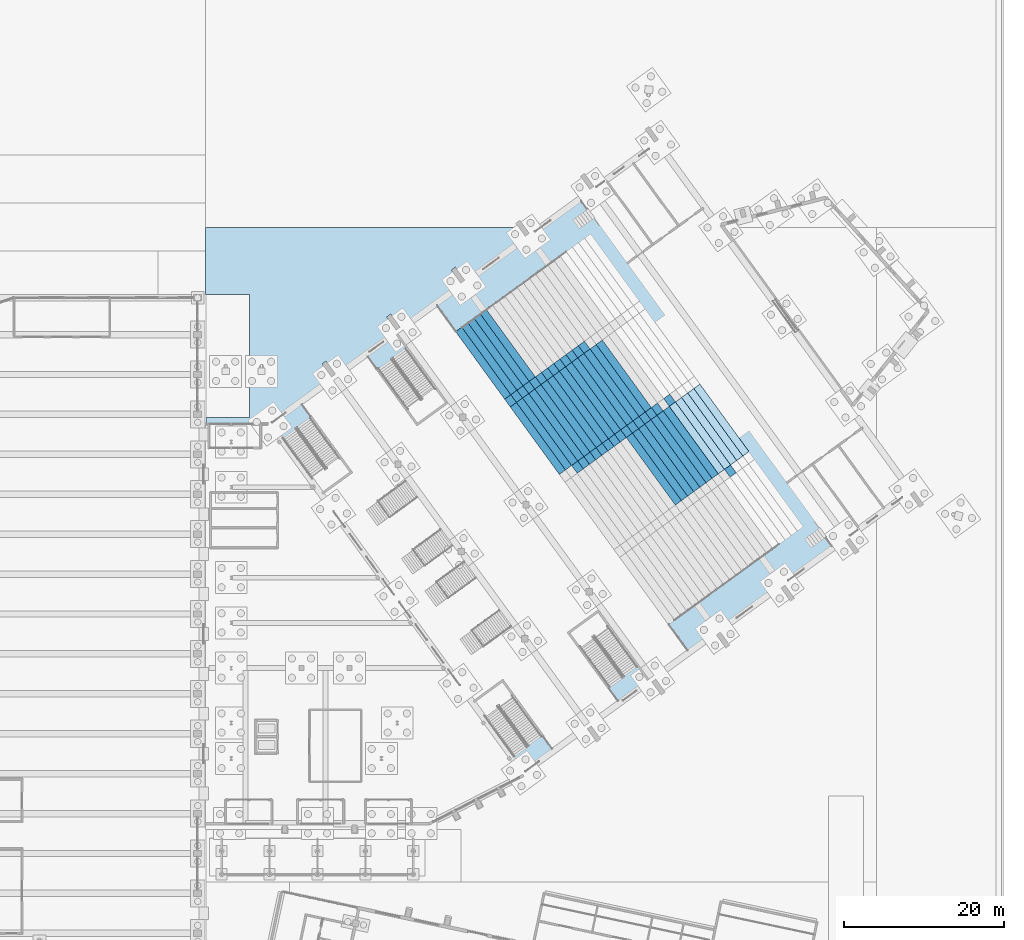
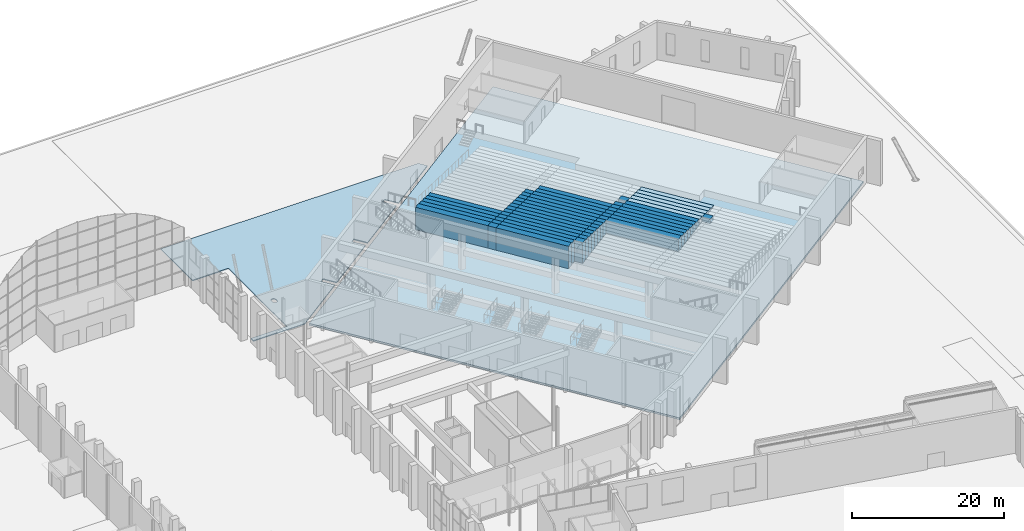
# One storey, part 161 of 239: 63 slabs.
"""IFC4 building model written with IfcOpenShell, lengths in metres."""

import ifcopenshell
import ifcopenshell.guid

model = None  # the IFC model being written
_history = None  # IfcOwnerHistory: only IFC2X3 demands one
_inside = {}  # id of a spatial element -> (the spatial element, [elements in it])
_under = {}  # id of a project, library or spatial element -> (it, [spatial elements below it])
_declared = {}  # id of a project -> (the project, [libraries it declares])
_typed = {}  # id of a type object -> (the type object, [elements of that type])
_made_of = {}  # id of a material, layer set ... -> (it, [elements and type objects made of it])


def new_model(schema):
    """Start an empty IFC model of exactly this schema.

    Asked for "IFC4X3", IfcOpenShell would pick the latest addendum, in which some entities
    have other attributes; the version numbers below select the first issue.
    IFC2X3 requires an IfcOwnerHistory on every rooted entity: one is made here for all.
    """
    global model, _history
    if schema == "IFC4X3":
        model = ifcopenshell.file(schema_version=(4, 3, 0, 0))
    else:
        model = ifcopenshell.file(schema=schema)
    _inside.clear()
    _under.clear()
    _declared.clear()
    _typed.clear()
    _made_of.clear()
    _history = None
    if model.schema == "IFC2X3":
        org = make("IfcOrganization", Name="unknown")
        user = make(
            "IfcPersonAndOrganization",
            ThePerson=make("IfcPerson", FamilyName="unknown"),
            TheOrganization=org,
        )
        app = make(
            "IfcApplication",
            ApplicationDeveloper=org,
            Version="unknown",
            ApplicationFullName="unknown",
            ApplicationIdentifier="unknown",
        )
        _history = make(
            "IfcOwnerHistory",
            OwningUser=user,
            OwningApplication=app,
            ChangeAction="ADDED",
            CreationDate=0,
        )
    return model


def make(cls, **values):
    """One entity of the class cls with the attributes given. An attribute that is None is left unset."""
    return model.create_entity(
        cls, **{name: value for name, value in values.items() if value is not None}
    )


def rooted(cls, **values):
    """An entity with a GlobalId (a new one), such as an element, a storey or a relation."""
    return make(cls, GlobalId=ifcopenshell.guid.new(), OwnerHistory=_history, **values)


def si_unit(unit_type, name, prefix=None):
    """IfcSIUnit, for example si_unit("LENGTHUNIT", "METRE", prefix="MILLI")."""
    return make("IfcSIUnit", UnitType=unit_type, Prefix=prefix, Name=name)


def assignment(units):
    """IfcUnitAssignment: the units of a project."""
    return None if units is None else make("IfcUnitAssignment", Units=units)


def point(xyz):
    """IfcCartesianPoint."""
    return None if xyz is None else make("IfcCartesianPoint", Coordinates=xyz)


def direction(xyz):
    """IfcDirection."""
    return None if xyz is None else make("IfcDirection", DirectionRatios=xyz)


def frame(location, z_axis=None, x_axis=None):
    """IfcAxis2Placement3D, a coordinate frame: its origin and axes. An axis left out is left unset."""
    return make(
        "IfcAxis2Placement3D",
        Location=point(location),
        Axis=direction(z_axis),
        RefDirection=direction(x_axis),
    )


def origin():
    """The frame at (0, 0, 0) with its axes left unset."""
    return frame((0.0, 0.0, 0.0))


def place(relative_to, where):
    """IfcLocalPlacement: puts the frame where relative to a parent placement (None: the world)."""
    return make(
        "IfcLocalPlacement", PlacementRelTo=relative_to, RelativePlacement=where
    )


def context(
    kind, dimensions, precision=None, world=None, true_north=None, identifier=None
):
    """IfcGeometricRepresentationContext, for example the 3D "Model" context."""
    return make(
        "IfcGeometricRepresentationContext",
        ContextIdentifier=identifier,
        ContextType=kind,
        CoordinateSpaceDimension=dimensions,
        Precision=precision,
        WorldCoordinateSystem=world,
        TrueNorth=true_north,
    )


def subcontext(parent, identifier, kind, view, scale=None):
    """IfcGeometricRepresentationSubContext, for example "Body" below "Model"."""
    return make(
        "IfcGeometricRepresentationSubContext",
        ContextIdentifier=identifier,
        ContextType=kind,
        ParentContext=parent,
        TargetScale=scale,
        TargetView=view,
    )


def project(units=None, contexts=None):
    """IfcProject with its units and contexts."""
    return rooted(
        "IfcProject",
        Name="project",
        RepresentationContexts=contexts,
        UnitsInContext=assignment(units),
    )


def spatial(cls, under=None, at=None, **own):
    """A site, building, storey or space (cls), placed at a placement, below another one or the project."""
    s = rooted(cls, ObjectPlacement=at, **own)
    if under is not None:
        _under.setdefault(under.id(), (under, []))[1].append(s)
    return s


def polyline(points):
    """IfcPolyline through the points."""
    return make("IfcPolyline", Points=[point(p) for p in points])


def outline(outer, holes=None, kind="AREA"):
    """IfcArbitraryClosedProfileDef: a profile drawn as a closed curve; with holes, ...WithVoids."""
    if holes is None:
        return make("IfcArbitraryClosedProfileDef", ProfileType=kind, OuterCurve=outer)
    return make(
        "IfcArbitraryProfileDefWithVoids",
        ProfileType=kind,
        OuterCurve=outer,
        InnerCurves=holes,
    )


def extrude(swept, where, along, depth):
    """IfcExtrudedAreaSolid: the profile swept, set in the frame where, extruded along a direction by depth."""
    return make(
        "IfcExtrudedAreaSolid",
        SweptArea=swept,
        Position=where,
        ExtrudedDirection=direction(along),
        Depth=depth,
    )


def shape(context_of_items, identifier, shape_type, items):
    """IfcShapeRepresentation: the items that make up one representation, for example the "Body"."""
    return make(
        "IfcShapeRepresentation",
        ContextOfItems=context_of_items,
        RepresentationIdentifier=identifier,
        RepresentationType=shape_type,
        Items=items,
    )


def material(Name=None, Category=None):
    """IfcMaterial."""
    return make("IfcMaterial", Name=Name, Category=Category)


def layer(
    of_material, thickness, ventilated=None, Name=None, Category=None, Priority=None
):
    """IfcMaterialLayer: one layer of a wall or slab, of a material (None: an air gap)."""
    return make(
        "IfcMaterialLayer",
        Material=of_material,
        LayerThickness=thickness,
        IsVentilated=ventilated,
        Name=Name,
        Category=Category,
        Priority=Priority,
    )


def layer_set(layers, Name=None):
    """IfcMaterialLayerSet."""
    return make("IfcMaterialLayerSet", MaterialLayers=layers, LayerSetName=Name)


def made_of(thing, what):
    """Note that an element or type object is made of a material, layer set ...; save() writes the relation."""
    if what is not None:
        _made_of.setdefault(what.id(), (what, []))[1].append(thing)
    return thing


def type_object(cls, material=None, **own):
    """A type object (cls), such as IfcWallType, which elements share."""
    return made_of(rooted(cls, **own), material)


def element(
    cls,
    number,
    at=None,
    inside=None,
    cuts=None,
    type_object=None,
    material=None,
    context=None,
    identifier="Body",
    shape_type=None,
    held_by="IfcProductDefinitionShape",
    body=None,
    shapes=None,
    **own,
):
    """One element of the class cls, such as IfcWall. Its Tag is "e" and its number.

    at: its placement. inside: the storey or other place that contains it. cuts: it is an
    opening in that element (IfcRelVoidsElement). A single representation is given by context,
    identifier, shape_type and body (its items); several are given by shapes. held_by: the class
    of the entity that holds the representations. save() writes the other relations.
    """
    e = rooted(cls, Tag="e%d" % number, ObjectPlacement=at, **own)
    if body is not None:
        shapes = [shape(context, identifier, shape_type, body)]
    if shapes is not None:
        e.Representation = make(held_by, Representations=shapes)
    if inside is not None:
        _inside.setdefault(inside.id(), (inside, []))[1].append(e)
    if cuts is not None:
        rooted(
            "IfcRelVoidsElement", RelatingBuildingElement=cuts, RelatedOpeningElement=e
        )
    if type_object is not None:
        _typed.setdefault(type_object.id(), (type_object, []))[1].append(e)
    return made_of(e, material)


def aggregate(whole, parts):
    """IfcRelAggregates: a whole, such as a stair, and the parts it consists of."""
    return rooted("IfcRelAggregates", RelatingObject=whole, RelatedObjects=parts)


def save(model, path):
    """Write the relations noted so far, then the file.

    IfcRelAggregates (storeys below a building ...), IfcRelContainedInSpatialStructure (elements
    in a storey), IfcRelDefinesByType, IfcRelAssociatesMaterial and IfcRelDeclares: one each for
    every whole, place, type object, material and project.
    """
    for whole, parts in _under.values():
        aggregate(whole, parts)
    for where, things in _inside.values():
        rooted(
            "IfcRelContainedInSpatialStructure",
            RelatedElements=things,
            RelatingStructure=where,
        )
    for kind, things in _typed.values():
        rooted("IfcRelDefinesByType", RelatedObjects=things, RelatingType=kind)
    for what, things in _made_of.values():
        rooted("IfcRelAssociatesMaterial", RelatedObjects=things, RelatingMaterial=what)
    for by, libraries in _declared.values():
        rooted("IfcRelDeclares", RelatingContext=by, RelatedDefinitions=libraries)
    model.write(path)


model = new_model("IFC4")

# Units and contexts
model_context = context("Model", 3, precision=1e-05, world=origin(), true_north=direction((0.0, 1.0)))
body_context = subcontext(model_context, "Body", "Model", "MODEL_VIEW")
ifc_project = project(units=[si_unit("LENGTHUNIT", "METRE"), si_unit("AREAUNIT", "SQUARE_METRE"), si_unit("VOLUMEUNIT", "CUBIC_METRE"), si_unit("PLANEANGLEUNIT", "RADIAN"), si_unit("MASSUNIT", "GRAM", prefix="KILO")], contexts=[model_context])

# Site, building, storey
site_placement = place(None, origin())
site = spatial("IfcSite", under=ifc_project, at=site_placement, CompositionType="ELEMENT")
building_placement = place(site_placement, origin())
building = spatial("IfcBuilding", under=site, at=building_placement, Name="Okhra Congress Centre", CompositionType="ELEMENT")
storey_placement = place(building_placement, origin())
storey = spatial("IfcBuildingStorey", under=building, at=storey_placement, Name="L00", CompositionType="ELEMENT", Elevation=0.0)

# Slabs
ifc_material_1 = material(Name="Concrete C30/37", Category="concrete")
ifc_layer_1 = layer(ifc_material_1, 0.14990234375)
ifc_layer_set_1 = layer_set([ifc_layer_1], Name="Paving slab 150 C30/37")
slab_type_1 = type_object("IfcSlabType", Name="Paving slab 150 C30/37", PredefinedType="BASESLAB", material=ifc_layer_set_1)
slab_1_placement = place(storey_placement, frame((0.0, 0.0, -0.14990234375)))
element("IfcSlab", 1, at=slab_1_placement, inside=storey, type_object=slab_type_1, Name="Entrance Forecourt 3 paving", PredefinedType="BASESLAB", context=body_context, shape_type="SweptSolid", body=[
    extrude(outline(polyline([(195.5, 216.0), (195.5, 200.60009765625), (190.010009765625, 200.60009765625), (190.010009765625, 199.949951171875), (197.840087890625, 199.949951171875), (205.756591796875, 205.701904296875), (204.5810546875, 207.31982421875), (205.082763671875, 207.68408203125), (206.25830078125, 206.066162109375), (213.8466796875, 211.57958984375), (212.671142578125, 213.19775390625), (213.1728515625, 213.56201171875), (214.348388671875, 211.944091796875), (221.93701171875, 217.45751953125), (220.761474609375, 219.075439453125), (221.262939453125, 219.43994140625), (222.438720703125, 217.822021484375), (230.027099609375, 223.335205078125), (229.253662109375, 224.39990234375), (190.0, 224.39990234375), (190.0, 216.010009765625), (190.010009765625, 216.010009765625), (190.010009765625, 216.0), (195.5, 216.0)]), holes=[polyline([(196.73828125, 206.91162109375), (196.701416015625, 206.8564453125), (196.687255859375, 206.826416015625), (196.66796875, 206.762939453125), (196.6630859375, 206.72998046875), (196.6630859375, 206.36669921875), (196.676025390625, 206.3017578125), (196.701416015625, 206.240478515625), (196.73828125, 206.185302734375), (196.785400390625, 206.13818359375), (196.84033203125, 206.1015625), (196.901611328125, 206.076171875), (196.966796875, 206.06298828125), (197.033203125, 206.06298828125), (197.098388671875, 206.076171875), (197.15966796875, 206.1015625), (197.214599609375, 206.13818359375), (197.26171875, 206.185302734375), (197.298583984375, 206.240478515625), (197.312744140625, 206.2705078125), (197.33203125, 206.333984375), (197.33837890625, 206.39990234375), (197.3369140625, 206.72998046875), (197.323974609375, 206.795166015625), (197.298583984375, 206.8564453125), (197.26171875, 206.91162109375), (197.214599609375, 206.95849609375), (197.18798828125, 206.978271484375), (197.12939453125, 207.009521484375), (197.098388671875, 207.020751953125), (197.033203125, 207.03369140625), (196.966796875, 207.03369140625), (196.93408203125, 207.02880859375), (196.87060546875, 207.009521484375), (196.84033203125, 206.995361328125), (196.785400390625, 206.95849609375), (196.73828125, 206.91162109375)])]), origin(), (0.0, 0.0, 1.0), 0.14990234375),
])
ifc_material_2 = material(Name="Precast concrete C40/50", Category="concrete")
slab_type_2 = type_object("IfcSlabType", Name="Precast RC stalls aisle step unit C40/50", PredefinedType="FLOOR", material=ifc_material_2)
slab_2_placement = place(storey_placement, origin())
element("IfcSlab", 2, at=slab_2_placement, inside=storey, type_object=slab_type_2, Name="Stalls aisle step unit 4.2", PredefinedType="FLOOR", context=body_context, shape_type="SweptSolid", body=[
    extrude(outline(polyline([(255.685791015625, 193.140380859375), (256.454345703125, 193.69873046875), (255.7490234375, 194.66943359375), (254.980224609375, 194.111083984375), (255.685791015625, 193.140380859375)])), origin(), (0.0, 0.0, 1.0), 0.654541015625),
])
slab_3_placement = place(storey_placement, origin())
element("IfcSlab", 3, at=slab_3_placement, inside=storey, type_object=slab_type_2, Name="Stalls aisle step unit 5.4", PredefinedType="FLOOR", context=body_context, shape_type="SweptSolid", body=[
    extrude(outline(polyline([(248.0693359375, 202.007080078125), (248.837890625, 202.5654296875), (248.132568359375, 203.5361328125), (247.364013671875, 202.977783203125), (248.0693359375, 202.007080078125)])), origin(), (0.0, 0.0, 1.0), 0.818115234375),
])
slab_4_placement = place(storey_placement, origin())
element("IfcSlab", 4, at=slab_4_placement, inside=storey, type_object=slab_type_2, Name="Stalls aisle step unit 7.4", PredefinedType="FLOOR", context=body_context, shape_type="SweptSolid", body=[
    extrude(outline(polyline([(246.5322265625, 200.89013671875), (247.30078125, 201.448486328125), (246.595458984375, 202.41943359375), (245.826904296875, 201.861083984375), (246.5322265625, 200.89013671875)])), origin(), (0.0, 0.0, 1.0), 1.1455078125),
])
slab_5_placement = place(storey_placement, origin())
element("IfcSlab", 5, at=slab_5_placement, inside=storey, type_object=slab_type_2, Name="Stalls aisle step unit 8.4", PredefinedType="FLOOR", context=body_context, shape_type="SweptSolid", body=[
    extrude(outline(polyline([(245.763671875, 200.331787109375), (246.5322265625, 200.89013671875), (245.826904296875, 201.861083984375), (245.058349609375, 201.302490234375), (245.763671875, 200.331787109375)])), origin(), (0.0, 0.0, 1.0), 1.30908203125),
])
slab_6_placement = place(storey_placement, origin())
element("IfcSlab", 6, at=slab_6_placement, inside=storey, type_object=slab_type_2, Name="Stalls aisle step unit 9.4", PredefinedType="FLOOR", context=body_context, shape_type="SweptSolid", body=[
    extrude(outline(polyline([(244.9951171875, 199.7734375), (245.763671875, 200.331787109375), (245.058349609375, 201.302490234375), (244.289794921875, 200.744140625), (244.9951171875, 199.7734375)])), origin(), (0.0, 0.0, 1.0), 1.47265625),
])
slab_7_placement = place(storey_placement, origin())
element("IfcSlab", 7, at=slab_7_placement, inside=storey, type_object=slab_type_2, Name="Stalls aisle step unit 10.4", PredefinedType="FLOOR", context=body_context, shape_type="SweptSolid", body=[
    extrude(outline(polyline([(244.2265625, 199.215087890625), (244.9951171875, 199.7734375), (244.289794921875, 200.744140625), (243.521240234375, 200.185791015625), (244.2265625, 199.215087890625)])), origin(), (0.0, 0.0, 1.0), 1.636474609375),
])
slab_8_placement = place(storey_placement, origin())
element("IfcSlab", 8, at=slab_8_placement, inside=storey, type_object=slab_type_2, Name="Stalls aisle step unit 10.6", PredefinedType="FLOOR", context=body_context, shape_type="SweptSolid", body=[
    extrude(outline(polyline([(237.37890625, 208.64013671875), (238.1474609375, 209.198486328125), (237.442138671875, 210.169189453125), (236.673583984375, 209.61083984375), (237.37890625, 208.64013671875)])), origin(), (0.0, 0.0, 1.0), 1.636474609375),
])
slab_9_placement = place(storey_placement, origin())
element("IfcSlab", 9, at=slab_9_placement, inside=storey, type_object=slab_type_2, Name="Stalls aisle step unit 11.4", PredefinedType="FLOOR", context=body_context, shape_type="SweptSolid", body=[
    extrude(outline(polyline([(243.4580078125, 198.656494140625), (244.2265625, 199.215087890625), (243.521240234375, 200.185791015625), (242.752685546875, 199.62744140625), (243.4580078125, 198.656494140625)])), origin(), (0.0, 0.0, 1.0), 1.800048828125),
])
slab_10_placement = place(storey_placement, origin())
element("IfcSlab", 10, at=slab_10_placement, inside=storey, type_object=slab_type_2, Name="Stalls aisle step unit 11.6", PredefinedType="FLOOR", context=body_context, shape_type="SweptSolid", body=[
    extrude(outline(polyline([(236.6103515625, 208.08154296875), (237.37890625, 208.64013671875), (236.673583984375, 209.61083984375), (235.905029296875, 209.052490234375), (236.6103515625, 208.08154296875)])), origin(), (0.0, 0.0, 1.0), 1.800048828125),
])
slab_11_placement = place(storey_placement, origin())
element("IfcSlab", 11, at=slab_11_placement, inside=storey, type_object=slab_type_2, Name="Stalls aisle step unit 12.4", PredefinedType="FLOOR", context=body_context, shape_type="SweptSolid", body=[
    extrude(outline(polyline([(242.689453125, 198.09814453125), (243.4580078125, 198.656494140625), (242.752685546875, 199.62744140625), (241.984130859375, 199.069091796875), (242.689453125, 198.09814453125)])), origin(), (0.0, 0.0, 1.0), 1.963623046875),
])
slab_12_placement = place(storey_placement, origin())
element("IfcSlab", 12, at=slab_12_placement, inside=storey, type_object=slab_type_2, Name="Stalls aisle step unit 12.6", PredefinedType="FLOOR", context=body_context, shape_type="SweptSolid", body=[
    extrude(outline(polyline([(235.841796875, 207.523193359375), (236.6103515625, 208.08154296875), (235.905029296875, 209.052490234375), (235.136474609375, 208.494140625), (235.841796875, 207.523193359375)])), origin(), (0.0, 0.0, 1.0), 1.963623046875),
])
slab_13_placement = place(storey_placement, origin())
element("IfcSlab", 13, at=slab_13_placement, inside=storey, type_object=slab_type_2, Name="Stalls aisle step unit 13.4", PredefinedType="FLOOR", context=body_context, shape_type="SweptSolid", body=[
    extrude(outline(polyline([(241.9208984375, 197.539794921875), (242.689453125, 198.09814453125), (241.984130859375, 199.069091796875), (241.215576171875, 198.510498046875), (241.9208984375, 197.539794921875)])), origin(), (0.0, 0.0, 1.0), 2.127197265625),
])
slab_14_placement = place(storey_placement, origin())
element("IfcSlab", 14, at=slab_14_placement, inside=storey, type_object=slab_type_2, Name="Stalls aisle step unit 13.6", PredefinedType="FLOOR", context=body_context, shape_type="SweptSolid", body=[
    extrude(outline(polyline([(235.0732421875, 206.96484375), (235.841796875, 207.523193359375), (235.136474609375, 208.494140625), (234.367919921875, 207.935546875), (235.0732421875, 206.96484375)])), origin(), (0.0, 0.0, 1.0), 2.127197265625),
])
slab_15_placement = place(storey_placement, origin())
element("IfcSlab", 15, at=slab_15_placement, inside=storey, type_object=slab_type_2, Name="Stalls aisle step unit 14.4", PredefinedType="FLOOR", context=body_context, shape_type="SweptSolid", body=[
    extrude(outline(polyline([(241.15234375, 196.9814453125), (241.9208984375, 197.539794921875), (241.215576171875, 198.510498046875), (240.447021484375, 197.9521484375), (241.15234375, 196.9814453125)])), origin(), (0.0, 0.0, 1.0), 2.291015625),
])
slab_16_placement = place(storey_placement, origin())
element("IfcSlab", 16, at=slab_16_placement, inside=storey, type_object=slab_type_2, Name="Stalls aisle step unit 14.6", PredefinedType="FLOOR", context=body_context, shape_type="SweptSolid", body=[
    extrude(outline(polyline([(234.3046875, 206.406494140625), (235.0732421875, 206.96484375), (234.367919921875, 207.935546875), (233.599365234375, 207.377197265625), (234.3046875, 206.406494140625)])), origin(), (0.0, 0.0, 1.0), 2.291015625),
])
slab_17_placement = place(storey_placement, origin())
element("IfcSlab", 17, at=slab_17_placement, inside=storey, type_object=slab_type_2, Name="Stalls aisle step unit 15.4", PredefinedType="FLOOR", context=body_context, shape_type="SweptSolid", body=[
    extrude(outline(polyline([(240.3837890625, 196.423095703125), (241.15234375, 196.9814453125), (240.447021484375, 197.9521484375), (239.678466796875, 197.393798828125), (240.3837890625, 196.423095703125)])), origin(), (0.0, 0.0, 1.0), 2.45458984375),
])
slab_18_placement = place(storey_placement, origin())
element("IfcSlab", 18, at=slab_18_placement, inside=storey, type_object=slab_type_2, Name="Stalls aisle step unit 15.6", PredefinedType="FLOOR", context=body_context, shape_type="SweptSolid", body=[
    extrude(outline(polyline([(233.5361328125, 205.84814453125), (234.3046875, 206.406494140625), (233.599365234375, 207.377197265625), (232.830810546875, 206.81884765625), (233.5361328125, 205.84814453125)])), origin(), (0.0, 0.0, 1.0), 2.45458984375),
])
slab_19_placement = place(storey_placement, origin())
element("IfcSlab", 19, at=slab_19_placement, inside=storey, type_object=slab_type_2, Name="Stalls aisle step unit 16.4", PredefinedType="FLOOR", context=body_context, shape_type="SweptSolid", body=[
    extrude(outline(polyline([(239.615234375, 195.864501953125), (240.3837890625, 196.423095703125), (239.678466796875, 197.393798828125), (238.909912109375, 196.83544921875), (239.615234375, 195.864501953125)])), origin(), (0.0, 0.0, 1.0), 2.6181640625),
])
slab_20_placement = place(storey_placement, origin())
element("IfcSlab", 20, at=slab_20_placement, inside=storey, type_object=slab_type_2, Name="Stalls aisle step unit 16.6", PredefinedType="FLOOR", context=body_context, shape_type="SweptSolid", body=[
    extrude(outline(polyline([(232.767578125, 205.28955078125), (233.5361328125, 205.84814453125), (232.830810546875, 206.81884765625), (232.062255859375, 206.260498046875), (232.767578125, 205.28955078125)])), origin(), (0.0, 0.0, 1.0), 2.6181640625),
])
slab_21_placement = place(storey_placement, origin())
element("IfcSlab", 21, at=slab_21_placement, inside=storey, type_object=slab_type_2, Name="Stalls aisle step unit 17.4", PredefinedType="FLOOR", context=body_context, shape_type="SweptSolid", body=[
    extrude(outline(polyline([(238.8466796875, 195.30615234375), (239.615234375, 195.864501953125), (238.909912109375, 196.83544921875), (238.141357421875, 196.277099609375), (238.8466796875, 195.30615234375)])), origin(), (0.0, 0.0, 1.0), 2.78173828125),
])
slab_22_placement = place(storey_placement, origin())
element("IfcSlab", 22, at=slab_22_placement, inside=storey, type_object=slab_type_2, Name="Stalls aisle step unit 17.6", PredefinedType="FLOOR", context=body_context, shape_type="SweptSolid", body=[
    extrude(outline(polyline([(231.9990234375, 204.731201171875), (232.767578125, 205.28955078125), (232.062255859375, 206.260498046875), (231.293701171875, 205.7021484375), (231.9990234375, 204.731201171875)])), origin(), (0.0, 0.0, 1.0), 2.78173828125),
])
slab_23_placement = place(storey_placement, origin())
element("IfcSlab", 23, at=slab_23_placement, inside=storey, type_object=slab_type_2, Name="Stalls aisle step unit 18.4", PredefinedType="FLOOR", context=body_context, shape_type="SweptSolid", body=[
    extrude(outline(polyline([(238.078125, 194.747802734375), (238.8466796875, 195.30615234375), (238.141357421875, 196.277099609375), (237.372802734375, 195.71875), (238.078125, 194.747802734375)])), origin(), (0.0, 0.0, 1.0), 2.945556640625),
])
slab_24_placement = place(storey_placement, origin())
element("IfcSlab", 24, at=slab_24_placement, inside=storey, type_object=slab_type_2, Name="Stalls aisle step unit 18.6", PredefinedType="FLOOR", context=body_context, shape_type="SweptSolid", body=[
    extrude(outline(polyline([(231.23046875, 204.1728515625), (231.9990234375, 204.731201171875), (231.293701171875, 205.7021484375), (230.52490234375, 205.143798828125), (231.23046875, 204.1728515625)])), origin(), (0.0, 0.0, 1.0), 2.945556640625),
])
slab_25_placement = place(storey_placement, origin())
element("IfcSlab", 25, at=slab_25_placement, inside=storey, type_object=slab_type_2, Name="Stalls aisle step unit 19.4", PredefinedType="FLOOR", context=body_context, shape_type="SweptSolid", body=[
    extrude(outline(polyline([(237.3095703125, 194.189453125), (238.078125, 194.747802734375), (237.372802734375, 195.71875), (236.604248046875, 195.16015625), (237.3095703125, 194.189453125)])), origin(), (0.0, 0.0, 1.0), 3.109130859375),
])
slab_26_placement = place(storey_placement, origin())
element("IfcSlab", 26, at=slab_26_placement, inside=storey, type_object=slab_type_2, Name="Stalls aisle step unit 19.6", PredefinedType="FLOOR", context=body_context, shape_type="SweptSolid", body=[
    extrude(outline(polyline([(230.4619140625, 203.614501953125), (231.23046875, 204.1728515625), (230.52490234375, 205.143798828125), (229.75634765625, 204.585205078125), (230.4619140625, 203.614501953125)])), origin(), (0.0, 0.0, 1.0), 3.109130859375),
])
slab_27_placement = place(storey_placement, origin())
element("IfcSlab", 27, at=slab_27_placement, inside=storey, type_object=slab_type_2, Name="Stalls aisle step unit 20.4", PredefinedType="FLOOR", context=body_context, shape_type="SweptSolid", body=[
    extrude(outline(polyline([(236.541015625, 193.631103515625), (237.3095703125, 194.189453125), (236.604248046875, 195.16015625), (235.835693359375, 194.601806640625), (236.541015625, 193.631103515625)])), origin(), (0.0, 0.0, 1.0), 3.272705078125),
])
slab_28_placement = place(storey_placement, origin())
element("IfcSlab", 28, at=slab_28_placement, inside=storey, type_object=slab_type_2, Name="Stalls aisle step unit 20.6", PredefinedType="FLOOR", context=body_context, shape_type="SweptSolid", body=[
    extrude(outline(polyline([(229.693115234375, 203.05615234375), (230.4619140625, 203.614501953125), (229.75634765625, 204.585205078125), (228.98779296875, 204.02685546875), (229.693115234375, 203.05615234375)])), origin(), (0.0, 0.0, 1.0), 3.272705078125),
])
slab_29_placement = place(storey_placement, origin())
element("IfcSlab", 29, at=slab_29_placement, inside=storey, type_object=slab_type_2, Name="Stalls aisle step unit 21.6", PredefinedType="FLOOR", context=body_context, shape_type="SweptSolid", body=[
    extrude(outline(polyline([(228.924560546875, 202.49755859375), (229.693115234375, 203.05615234375), (228.98779296875, 204.02685546875), (228.21923828125, 203.468505859375), (228.924560546875, 202.49755859375)])), origin(), (0.0, 0.0, 1.0), 3.436279296875),
])
slab_30_placement = place(storey_placement, origin())
element("IfcSlab", 30, at=slab_30_placement, inside=storey, type_object=slab_type_2, Name="Stalls aisle step unit 22.6", PredefinedType="FLOOR", context=body_context, shape_type="SweptSolid", body=[
    extrude(outline(polyline([(228.156005859375, 201.939208984375), (228.924560546875, 202.49755859375), (228.21923828125, 203.468505859375), (227.45068359375, 202.91015625), (228.156005859375, 201.939208984375)])), origin(), (0.0, 0.0, 1.0), 3.60009765625),
])
ifc_material_3 = material(Name="Precast concrete C35/45", Category="concrete")
slab_type_3 = type_object("IfcSlabType", Name="Precast RC stalls seat-row step unit C35/45", PredefinedType="FLOOR", material=ifc_material_3)
slab_31_placement = place(storey_placement, origin())
element("IfcSlab", 31, at=slab_31_placement, inside=storey, type_object=slab_type_3, Name="Stalls seat-row step unit 1.3", PredefinedType="FLOOR", context=body_context, shape_type="SweptSolid", body=[
    extrude(outline(polyline([(257.2861328125, 195.786376953125), (258.0546875, 196.3447265625), (251.912353515625, 204.798828125), (251.143798828125, 204.240478515625), (257.2861328125, 195.786376953125)])), origin(), (0.0, 0.0, 1.0), 0.16357421875),
])
slab_32_placement = place(storey_placement, origin())
element("IfcSlab", 32, at=slab_32_placement, inside=storey, type_object=slab_type_3, Name="Stalls seat-row step unit 2.3", PredefinedType="FLOOR", context=body_context, shape_type="SweptSolid", body=[
    extrude(outline(polyline([(256.517578125, 195.22802734375), (257.2861328125, 195.786376953125), (251.143798828125, 204.240478515625), (250.375, 203.68212890625), (256.517578125, 195.22802734375)])), origin(), (0.0, 0.0, 1.0), 0.327392578125),
])
slab_33_placement = place(storey_placement, origin())
element("IfcSlab", 33, at=slab_33_placement, inside=storey, type_object=slab_type_3, Name="Stalls seat-row step unit 3.3", PredefinedType="FLOOR", context=body_context, shape_type="SweptSolid", body=[
    extrude(outline(polyline([(255.7490234375, 194.66943359375), (256.517578125, 195.22802734375), (250.375, 203.68212890625), (249.6064453125, 203.123779296875), (255.7490234375, 194.66943359375)])), origin(), (0.0, 0.0, 1.0), 0.490966796875),
])
slab_34_placement = place(storey_placement, origin())
element("IfcSlab", 34, at=slab_34_placement, inside=storey, type_object=slab_type_3, Name="Stalls seat-row step unit 4.3", PredefinedType="FLOOR", context=body_context, shape_type="SweptSolid", body=[
    extrude(outline(polyline([(254.980224609375, 194.111083984375), (255.7490234375, 194.66943359375), (249.6064453125, 203.123779296875), (248.837890625, 202.5654296875), (254.980224609375, 194.111083984375)])), origin(), (0.0, 0.0, 1.0), 0.654541015625),
])
slab_35_placement = place(storey_placement, origin())
element("IfcSlab", 35, at=slab_35_placement, inside=storey, type_object=slab_type_3, Name="Stalls seat-row step unit 5.3", PredefinedType="FLOOR", context=body_context, shape_type="SweptSolid", body=[
    extrude(outline(polyline([(254.211669921875, 193.552734375), (254.980224609375, 194.111083984375), (248.837890625, 202.5654296875), (248.0693359375, 202.007080078125), (254.211669921875, 193.552734375)])), origin(), (0.0, 0.0, 1.0), 0.818115234375),
])
slab_36_placement = place(storey_placement, origin())
element("IfcSlab", 36, at=slab_36_placement, inside=storey, type_object=slab_type_3, Name="Stalls seat-row step unit 6.3", PredefinedType="FLOOR", context=body_context, shape_type="SweptSolid", body=[
    extrude(outline(polyline([(253.443115234375, 192.994384765625), (254.211669921875, 193.552734375), (248.0693359375, 202.007080078125), (247.30078125, 201.448486328125), (253.443115234375, 192.994384765625)])), origin(), (0.0, 0.0, 1.0), 0.98193359375),
])
slab_37_placement = place(storey_placement, origin())
element("IfcSlab", 37, at=slab_37_placement, inside=storey, type_object=slab_type_3, Name="Stalls seat-row step unit 7.3", PredefinedType="FLOOR", context=body_context, shape_type="SweptSolid", body=[
    extrude(outline(polyline([(252.674560546875, 192.43603515625), (253.443115234375, 192.994384765625), (247.30078125, 201.448486328125), (246.5322265625, 200.89013671875), (252.674560546875, 192.43603515625)])), origin(), (0.0, 0.0, 1.0), 1.1455078125),
])
slab_38_placement = place(storey_placement, origin())
element("IfcSlab", 38, at=slab_38_placement, inside=storey, type_object=slab_type_3, Name="Stalls seat-row step unit 8.3", PredefinedType="FLOOR", context=body_context, shape_type="SweptSolid", body=[
    extrude(outline(polyline([(251.906005859375, 191.87744140625), (252.674560546875, 192.43603515625), (246.5322265625, 200.89013671875), (245.763671875, 200.331787109375), (251.906005859375, 191.87744140625)])), origin(), (0.0, 0.0, 1.0), 1.30908203125),
])
slab_39_placement = place(storey_placement, origin())
element("IfcSlab", 39, at=slab_39_placement, inside=storey, type_object=slab_type_3, Name="Stalls seat-row step unit 8.5", PredefinedType="FLOOR", context=body_context, shape_type="SweptSolid", body=[
    extrude(outline(polyline([(245.058349609375, 201.302490234375), (245.826904296875, 201.861083984375), (239.6845703125, 210.315185546875), (238.916015625, 209.7568359375), (245.058349609375, 201.302490234375)])), origin(), (0.0, 0.0, 1.0), 1.30908203125),
])
slab_40_placement = place(storey_placement, origin())
element("IfcSlab", 40, at=slab_40_placement, inside=storey, type_object=slab_type_3, Name="Stalls seat-row step unit 9.3", PredefinedType="FLOOR", context=body_context, shape_type="SweptSolid", body=[
    extrude(outline(polyline([(251.137451171875, 191.319091796875), (251.906005859375, 191.87744140625), (245.763671875, 200.331787109375), (244.9951171875, 199.7734375), (251.137451171875, 191.319091796875)])), origin(), (0.0, 0.0, 1.0), 1.47265625),
])
slab_41_placement = place(storey_placement, origin())
element("IfcSlab", 41, at=slab_41_placement, inside=storey, type_object=slab_type_3, Name="Stalls seat-row step unit 9.5", PredefinedType="FLOOR", context=body_context, shape_type="SweptSolid", body=[
    extrude(outline(polyline([(244.289794921875, 200.744140625), (245.058349609375, 201.302490234375), (238.916015625, 209.7568359375), (238.1474609375, 209.198486328125), (244.289794921875, 200.744140625)])), origin(), (0.0, 0.0, 1.0), 1.47265625),
])
slab_42_placement = place(storey_placement, origin())
element("IfcSlab", 42, at=slab_42_placement, inside=storey, type_object=slab_type_3, Name="Stalls seat-row step unit 10.3", PredefinedType="FLOOR", context=body_context, shape_type="SweptSolid", body=[
    extrude(outline(polyline([(250.368896484375, 190.7607421875), (251.137451171875, 191.319091796875), (244.9951171875, 199.7734375), (244.2265625, 199.215087890625), (250.368896484375, 190.7607421875)])), origin(), (0.0, 0.0, 1.0), 1.636474609375),
])
slab_43_placement = place(storey_placement, origin())
element("IfcSlab", 43, at=slab_43_placement, inside=storey, type_object=slab_type_3, Name="Stalls seat-row step unit 10.5", PredefinedType="FLOOR", context=body_context, shape_type="SweptSolid", body=[
    extrude(outline(polyline([(243.521240234375, 200.185791015625), (244.289794921875, 200.744140625), (238.1474609375, 209.198486328125), (237.37890625, 208.64013671875), (243.521240234375, 200.185791015625)])), origin(), (0.0, 0.0, 1.0), 1.636474609375),
])
slab_44_placement = place(storey_placement, origin())
element("IfcSlab", 44, at=slab_44_placement, inside=storey, type_object=slab_type_3, Name="Stalls seat-row step unit 11.3", PredefinedType="FLOOR", context=body_context, shape_type="SweptSolid", body=[
    extrude(outline(polyline([(249.600341796875, 190.202392578125), (250.368896484375, 190.7607421875), (244.2265625, 199.215087890625), (243.4580078125, 198.656494140625), (249.600341796875, 190.202392578125)])), origin(), (0.0, 0.0, 1.0), 1.800048828125),
])
slab_45_placement = place(storey_placement, origin())
element("IfcSlab", 45, at=slab_45_placement, inside=storey, type_object=slab_type_3, Name="Stalls seat-row step unit 11.5", PredefinedType="FLOOR", context=body_context, shape_type="SweptSolid", body=[
    extrude(outline(polyline([(242.752685546875, 199.62744140625), (243.521240234375, 200.185791015625), (237.37890625, 208.64013671875), (236.6103515625, 208.08154296875), (242.752685546875, 199.62744140625)])), origin(), (0.0, 0.0, 1.0), 1.800048828125),
])
slab_46_placement = place(storey_placement, origin())
element("IfcSlab", 46, at=slab_46_placement, inside=storey, type_object=slab_type_3, Name="Stalls seat-row step unit 12.3", PredefinedType="FLOOR", context=body_context, shape_type="SweptSolid", body=[
    extrude(outline(polyline([(248.831787109375, 189.64404296875), (249.600341796875, 190.202392578125), (243.4580078125, 198.656494140625), (242.689453125, 198.09814453125), (248.831787109375, 189.64404296875)])), origin(), (0.0, 0.0, 1.0), 1.963623046875),
])
slab_47_placement = place(storey_placement, origin())
element("IfcSlab", 47, at=slab_47_placement, inside=storey, type_object=slab_type_3, Name="Stalls seat-row step unit 12.5", PredefinedType="FLOOR", context=body_context, shape_type="SweptSolid", body=[
    extrude(outline(polyline([(241.984130859375, 199.069091796875), (242.752685546875, 199.62744140625), (236.6103515625, 208.08154296875), (235.841796875, 207.523193359375), (241.984130859375, 199.069091796875)])), origin(), (0.0, 0.0, 1.0), 1.963623046875),
])
slab_48_placement = place(storey_placement, origin())
element("IfcSlab", 48, at=slab_48_placement, inside=storey, type_object=slab_type_3, Name="Stalls seat-row step unit 13.5", PredefinedType="FLOOR", context=body_context, shape_type="SweptSolid", body=[
    extrude(outline(polyline([(241.215576171875, 198.510498046875), (241.984130859375, 199.069091796875), (235.841796875, 207.523193359375), (235.0732421875, 206.96484375), (241.215576171875, 198.510498046875)])), origin(), (0.0, 0.0, 1.0), 2.127197265625),
])
slab_49_placement = place(storey_placement, origin())
element("IfcSlab", 49, at=slab_49_placement, inside=storey, type_object=slab_type_3, Name="Stalls seat-row step unit 14.5", PredefinedType="FLOOR", context=body_context, shape_type="SweptSolid", body=[
    extrude(outline(polyline([(240.447021484375, 197.9521484375), (241.215576171875, 198.510498046875), (235.0732421875, 206.96484375), (234.3046875, 206.406494140625), (240.447021484375, 197.9521484375)])), origin(), (0.0, 0.0, 1.0), 2.291015625),
])
slab_50_placement = place(storey_placement, origin())
element("IfcSlab", 50, at=slab_50_placement, inside=storey, type_object=slab_type_3, Name="Stalls seat-row step unit 15.5", PredefinedType="FLOOR", context=body_context, shape_type="SweptSolid", body=[
    extrude(outline(polyline([(239.678466796875, 197.393798828125), (240.447021484375, 197.9521484375), (234.3046875, 206.406494140625), (233.5361328125, 205.84814453125), (239.678466796875, 197.393798828125)])), origin(), (0.0, 0.0, 1.0), 2.45458984375),
])
slab_51_placement = place(storey_placement, origin())
element("IfcSlab", 51, at=slab_51_placement, inside=storey, type_object=slab_type_3, Name="Stalls seat-row step unit 16.5", PredefinedType="FLOOR", context=body_context, shape_type="SweptSolid", body=[
    extrude(outline(polyline([(238.909912109375, 196.83544921875), (239.678466796875, 197.393798828125), (233.5361328125, 205.84814453125), (232.767578125, 205.28955078125), (238.909912109375, 196.83544921875)])), origin(), (0.0, 0.0, 1.0), 2.6181640625),
])
slab_52_placement = place(storey_placement, origin())
element("IfcSlab", 52, at=slab_52_placement, inside=storey, type_object=slab_type_3, Name="Stalls seat-row step unit 17.5", PredefinedType="FLOOR", context=body_context, shape_type="SweptSolid", body=[
    extrude(outline(polyline([(238.141357421875, 196.277099609375), (238.909912109375, 196.83544921875), (232.767578125, 205.28955078125), (231.9990234375, 204.731201171875), (238.141357421875, 196.277099609375)])), origin(), (0.0, 0.0, 1.0), 2.78173828125),
])
slab_53_placement = place(storey_placement, origin())
element("IfcSlab", 53, at=slab_53_placement, inside=storey, type_object=slab_type_3, Name="Stalls seat-row step unit 18.5", PredefinedType="FLOOR", context=body_context, shape_type="SweptSolid", body=[
    extrude(outline(polyline([(237.372802734375, 195.71875), (238.141357421875, 196.277099609375), (231.9990234375, 204.731201171875), (231.23046875, 204.1728515625), (237.372802734375, 195.71875)])), origin(), (0.0, 0.0, 1.0), 2.945556640625),
])
slab_54_placement = place(storey_placement, origin())
element("IfcSlab", 54, at=slab_54_placement, inside=storey, type_object=slab_type_3, Name="Stalls seat-row step unit 18.7", PredefinedType="FLOOR", context=body_context, shape_type="SweptSolid", body=[
    extrude(outline(polyline([(230.52490234375, 205.143798828125), (231.293701171875, 205.7021484375), (225.151123046875, 214.15625), (224.382568359375, 213.597900390625), (230.52490234375, 205.143798828125)])), origin(), (0.0, 0.0, 1.0), 2.945556640625),
])
slab_55_placement = place(storey_placement, origin())
element("IfcSlab", 55, at=slab_55_placement, inside=storey, type_object=slab_type_3, Name="Stalls seat-row step unit 19.5", PredefinedType="FLOOR", context=body_context, shape_type="SweptSolid", body=[
    extrude(outline(polyline([(236.604248046875, 195.16015625), (237.372802734375, 195.71875), (231.23046875, 204.1728515625), (230.4619140625, 203.614501953125), (236.604248046875, 195.16015625)])), origin(), (0.0, 0.0, 1.0), 3.109130859375),
])
slab_56_placement = place(storey_placement, origin())
element("IfcSlab", 56, at=slab_56_placement, inside=storey, type_object=slab_type_3, Name="Stalls seat-row step unit 19.7", PredefinedType="FLOOR", context=body_context, shape_type="SweptSolid", body=[
    extrude(outline(polyline([(229.75634765625, 204.585205078125), (230.52490234375, 205.143798828125), (224.382568359375, 213.597900390625), (223.614013671875, 213.03955078125), (229.75634765625, 204.585205078125)])), origin(), (0.0, 0.0, 1.0), 3.109130859375),
])
slab_57_placement = place(storey_placement, origin())
element("IfcSlab", 57, at=slab_57_placement, inside=storey, type_object=slab_type_3, Name="Stalls seat-row step unit 20.5", PredefinedType="FLOOR", context=body_context, shape_type="SweptSolid", body=[
    extrude(outline(polyline([(235.835693359375, 194.601806640625), (236.604248046875, 195.16015625), (230.4619140625, 203.614501953125), (229.693115234375, 203.05615234375), (235.835693359375, 194.601806640625)])), origin(), (0.0, 0.0, 1.0), 3.272705078125),
])
slab_58_placement = place(storey_placement, origin())
element("IfcSlab", 58, at=slab_58_placement, inside=storey, type_object=slab_type_3, Name="Stalls seat-row step unit 20.7", PredefinedType="FLOOR", context=body_context, shape_type="SweptSolid", body=[
    extrude(outline(polyline([(228.98779296875, 204.02685546875), (229.75634765625, 204.585205078125), (223.614013671875, 213.03955078125), (222.845458984375, 212.481201171875), (228.98779296875, 204.02685546875)])), origin(), (0.0, 0.0, 1.0), 3.272705078125),
])
slab_59_placement = place(storey_placement, origin())
element("IfcSlab", 59, at=slab_59_placement, inside=storey, type_object=slab_type_3, Name="Stalls seat-row step unit 21.5", PredefinedType="FLOOR", context=body_context, shape_type="SweptSolid", body=[
    extrude(outline(polyline([(235.067138671875, 194.04345703125), (235.835693359375, 194.601806640625), (229.693115234375, 203.05615234375), (228.924560546875, 202.49755859375), (235.067138671875, 194.04345703125)])), origin(), (0.0, 0.0, 1.0), 3.436279296875),
])
slab_60_placement = place(storey_placement, origin())
element("IfcSlab", 60, at=slab_60_placement, inside=storey, type_object=slab_type_3, Name="Stalls seat-row step unit 21.7", PredefinedType="FLOOR", context=body_context, shape_type="SweptSolid", body=[
    extrude(outline(polyline([(228.21923828125, 203.468505859375), (228.98779296875, 204.02685546875), (222.845458984375, 212.481201171875), (222.076904296875, 211.922607421875), (228.21923828125, 203.468505859375)])), origin(), (0.0, 0.0, 1.0), 3.436279296875),
])
slab_61_placement = place(storey_placement, origin())
element("IfcSlab", 61, at=slab_61_placement, inside=storey, type_object=slab_type_3, Name="Stalls seat-row step unit 22.5", PredefinedType="FLOOR", context=body_context, shape_type="SweptSolid", body=[
    extrude(outline(polyline([(234.29833984375, 193.485107421875), (235.067138671875, 194.04345703125), (228.924560546875, 202.49755859375), (228.156005859375, 201.939208984375), (234.29833984375, 193.485107421875)])), origin(), (0.0, 0.0, 1.0), 3.60009765625),
])
slab_62_placement = place(storey_placement, origin())
element("IfcSlab", 62, at=slab_62_placement, inside=storey, type_object=slab_type_3, Name="Stalls seat-row step unit 22.7", PredefinedType="FLOOR", context=body_context, shape_type="SweptSolid", body=[
    extrude(outline(polyline([(227.45068359375, 202.91015625), (228.21923828125, 203.468505859375), (222.076904296875, 211.922607421875), (221.308349609375, 211.3642578125), (227.45068359375, 202.91015625)])), origin(), (0.0, 0.0, 1.0), 3.60009765625),
])
ifc_material_4 = material(Name="Concrete C25/30", Category="concrete")
ifc_layer_2 = layer(ifc_material_4, 0.300048828125)
ifc_layer_set_2 = layer_set([ifc_layer_2], Name="RC ground slab 300 C25/30")
slab_type_4 = type_object("IfcSlabType", Name="RC ground slab 300 C25/30", PredefinedType="BASESLAB", material=ifc_layer_set_2)
slab_63_placement = place(storey_placement, frame((0.0, 0.0, -0.300048828125)))
element("IfcSlab", 63, at=slab_63_placement, inside=storey, type_object=slab_type_4, Name="Plenary hall ground slab", PredefinedType="BASESLAB", context=body_context, shape_type="SweptSolid", body=[
    extrude(outline(polyline([(229.825439453125, 156.4287109375), (278.042724609375, 191.460693359375), (246.59619140625, 234.7431640625), (198.37890625, 199.711181640625), (229.825439453125, 156.4287109375)])), origin(), (0.0, 0.0, 1.0), 0.300048828125),
])

save(model, "model.ifc")
